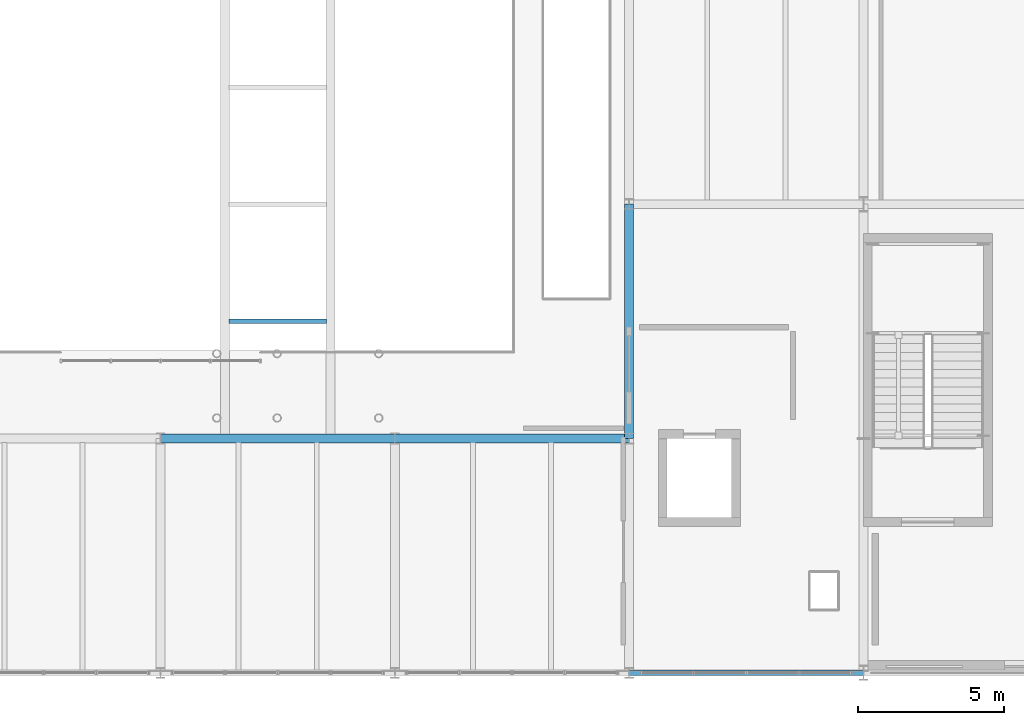
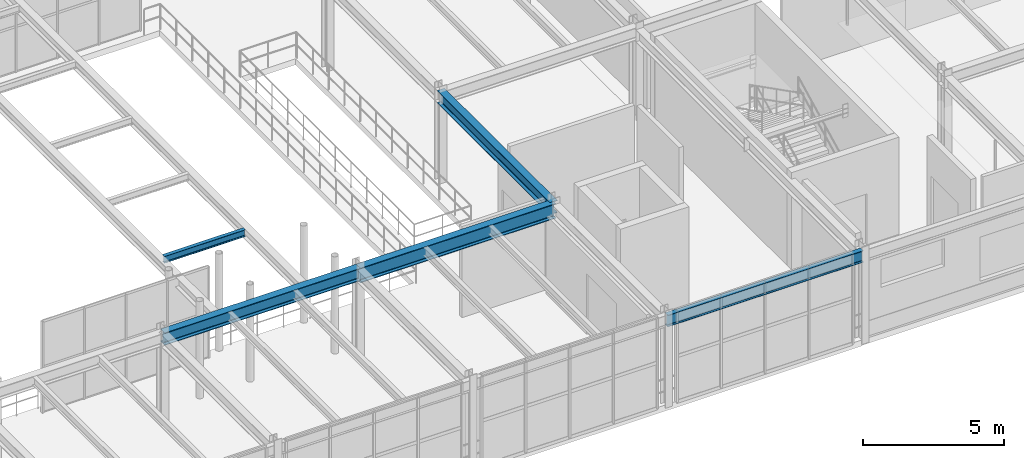
# One storey, part 27 of 122: 5 beams.
"""IFC4 building model written with IfcOpenShell, lengths in metres."""

from ifc_helpers import new_model, si_unit, direction, frame, origin, origin_2d, place, context, subcontext, project, spatial, i_section, extrude, material, material_profile, profile_set, type_object, element, save


model = new_model("IFC4")

# Units and contexts
model_context = context("Model", 3, precision=1e-05, world=origin(), true_north=direction((0.0, 1.0)))
body_context = subcontext(model_context, "Body", "Model", "MODEL_VIEW")
ifc_project = project(units=[si_unit("LENGTHUNIT", "METRE"), si_unit("AREAUNIT", "SQUARE_METRE"), si_unit("VOLUMEUNIT", "CUBIC_METRE"), si_unit("PLANEANGLEUNIT", "RADIAN"), si_unit("MASSUNIT", "GRAM", prefix="KILO")], contexts=[model_context])

# Site, building, storey
site_placement = place(None, origin())
site = spatial("IfcSite", under=ifc_project, at=site_placement, CompositionType="ELEMENT")
building_placement = place(site_placement, origin())
building = spatial("IfcBuilding", under=site, at=building_placement, Name="Sundkrona Museum", CompositionType="ELEMENT")
storey_placement = place(building_placement, frame((0.0, 0.0, 5.39990234375)))
storey = spatial("IfcBuildingStorey", under=building, at=storey_placement, Name="L01", CompositionType="ELEMENT", Elevation=5.39990234375)

# Beams
ifc_material = material(Name="Steel S355J2", Category="steel")
ifc_material_profile_1 = material_profile(ifc_material, i_section(OverallWidth=0.300048828125, OverallDepth=0.5400390625, WebThickness=0.012451171875, FlangeThickness=0.02392578125, FilletRadius=0.027099609375, at=origin_2d()), Name="HEA 550")
ifc_profile_set_1 = profile_set([ifc_material_profile_1], Name="Steel S355J2")
beam_type_1 = type_object("IfcBeamType", Name="B-HEA550", PredefinedType="BEAM", material=ifc_profile_set_1)
for number, where, z_axis, x_axis, name in (
    (1, (96.0, 8.0, 3.670166015625), (1.0, 0.0, 0.0), (0.0, 1.0, 0.0), "L01 Girder X-0818"),
    (2, (112.0, 8.0, 3.670166015625), (0.0, 1.0, 0.0), (-1.0, 0.0, 0.0), "L01 Girder Y-1033"),
):
    element("IfcBeam", number, at=place(storey_placement, frame(where, z_axis=z_axis, x_axis=x_axis)), inside=storey, type_object=beam_type_1, Name=name, PredefinedType="BEAM", context=body_context, shape_type="SweptSolid", body=[
        extrude(i_section(OverallWidth=0.300048828125, OverallDepth=0.5400390625, WebThickness=0.012451171875, FlangeThickness=0.02392578125, FilletRadius=0.027099609375, at=origin_2d()), origin(), (0.0, 0.0, 1.0), 8.0),
    ])
ifc_material_profile_2 = material_profile(ifc_material, i_section(OverallWidth=0.300048828125, OverallDepth=0.639892578125, WebThickness=0.013427734375, FlangeThickness=0.02587890625, FilletRadius=0.027099609375, at=origin_2d()), Name="HEA 650")
ifc_profile_set_2 = profile_set([ifc_material_profile_2], Name="Steel S355J2")
beam_type_2 = type_object("IfcBeamType", Name="B-HEA650", PredefinedType="BEAM", material=ifc_profile_set_2)
beam_1_placement = place(storey_placement, frame((104.0, 8.0, 3.6201171875), z_axis=(1.0, 0.0, 0.0), x_axis=(0.0, 1.0, 0.0)))
element("IfcBeam", 3, at=beam_1_placement, inside=storey, type_object=beam_type_2, Name="L01 Girder X-0819", PredefinedType="BEAM", context=body_context, shape_type="SweptSolid", body=[
    extrude(i_section(OverallWidth=0.300048828125, OverallDepth=0.639892578125, WebThickness=0.013427734375, FlangeThickness=0.02587890625, FilletRadius=0.027099609375, at=origin_2d()), origin(), (0.0, 0.0, 1.0), 8.0),
])
ifc_material_profile_3 = material_profile(ifc_material, i_section(OverallWidth=0.14990234375, OverallDepth=0.300048828125, WebThickness=0.007080078125, FlangeThickness=0.0107421875, FilletRadius=0.014892578125, at=origin_2d()), Name="IPE 300")
ifc_profile_set_3 = profile_set([ifc_material_profile_3], Name="Steel S355J2")
beam_type_3 = type_object("IfcBeamType", Name="J-IPE300", PredefinedType="JOIST", material=ifc_profile_set_3)
beam_2_placement = place(storey_placement, frame((98.340087890625, 12.0, 3.81005859375), z_axis=(1.0, 0.0, 0.0), x_axis=(0.0, 1.0, 0.0)))
element("IfcBeam", 4, at=beam_2_placement, inside=storey, type_object=beam_type_3, Name="Atrium Level 02 Bridge Cross Beam Y=12", PredefinedType="JOIST", context=body_context, shape_type="SweptSolid", body=[
    extrude(i_section(OverallWidth=0.14990234375, OverallDepth=0.300048828125, WebThickness=0.007080078125, FlangeThickness=0.0107421875, FilletRadius=0.014892578125, at=origin_2d()), origin(), (0.0, 0.0, 1.0), 3.31982421875),
])
ifc_material_profile_4 = material_profile(ifc_material, i_section(OverallWidth=0.199951171875, OverallDepth=0.5, WebThickness=0.01025390625, FlangeThickness=0.01611328125, FilletRadius=0.02099609375, at=origin_2d()), Name="IPE 500")
ifc_profile_set_4 = profile_set([ifc_material_profile_4], Name="Steel S355J2")
beam_type_4 = type_object("IfcBeamType", Name="SP-IPE500", PredefinedType="SPANDREL", material=ifc_profile_set_4)
beam_3_placement = place(storey_placement, frame((112.0, 0.0, 3.670166015625), z_axis=(1.0, 0.0, 0.0), x_axis=(0.0, 1.0, 0.0)))
element("IfcBeam", 5, at=beam_3_placement, inside=storey, type_object=beam_type_4, Name="L01 Girder X-0812", PredefinedType="SPANDREL", context=body_context, shape_type="SweptSolid", body=[
    extrude(i_section(OverallWidth=0.199951171875, OverallDepth=0.5, WebThickness=0.01025390625, FlangeThickness=0.01611328125, FilletRadius=0.02099609375, at=origin_2d()), origin(), (0.0, 0.0, 1.0), 8.0),
])

save(model, "model.ifc")
